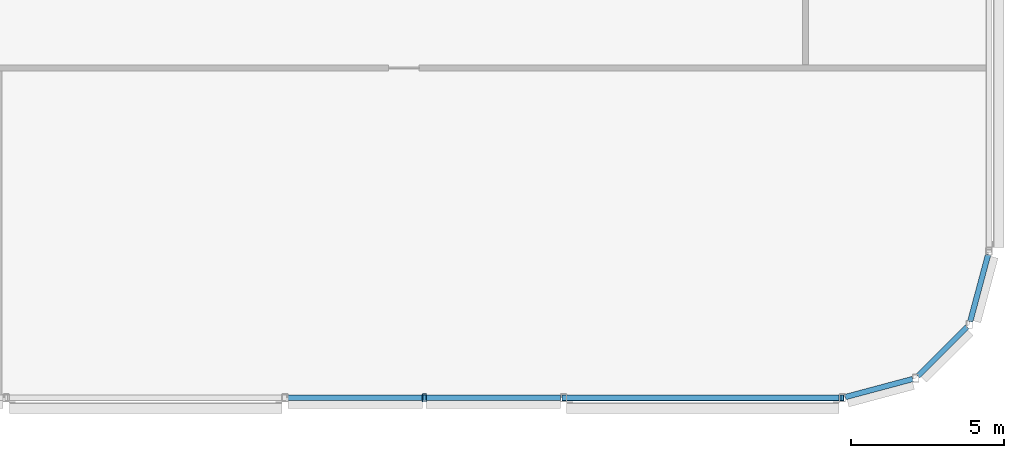
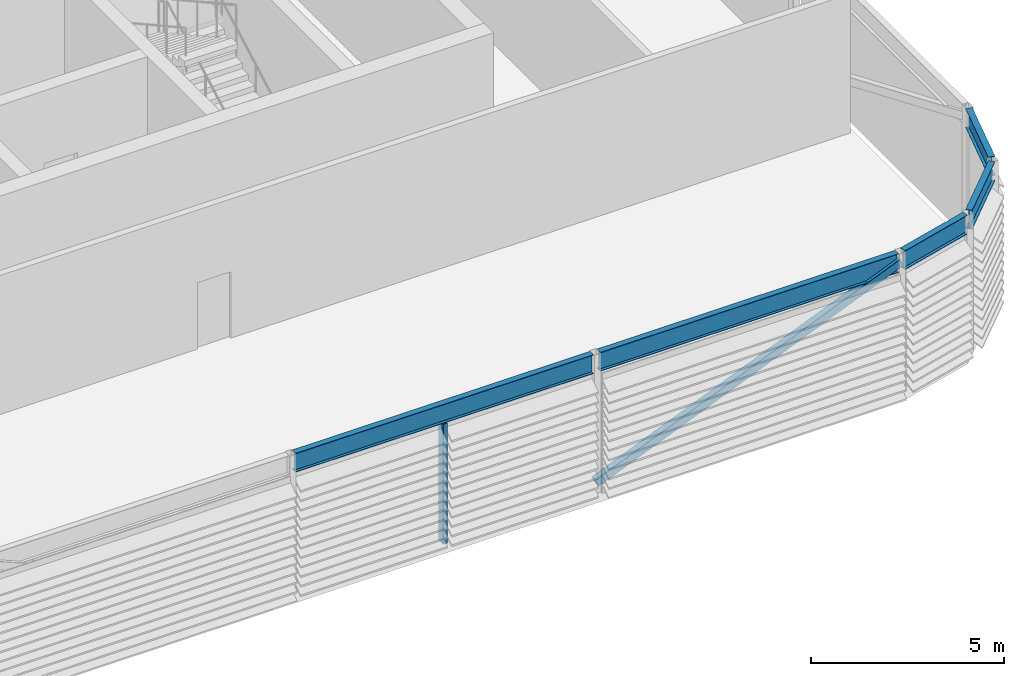
# One storey, part 8 of 27: 5 beams, 2 members.
"""IFC4 building model written with IfcOpenShell, lengths in metres."""

from ifc_helpers import new_model, si_unit, direction, frame, origin, origin_2d, place, context, subcontext, project, spatial, hollow_rectangle, i_section, extrude, material, material_profile, profile_set, type_object, element, save


model = new_model("IFC4")

# Units and contexts
model_context = context("Model", 3, precision=1e-05, world=origin(), true_north=direction((0.0, 1.0)))
body_context = subcontext(model_context, "Body", "Model", "MODEL_VIEW")
ifc_project = project(units=[si_unit("LENGTHUNIT", "METRE"), si_unit("AREAUNIT", "SQUARE_METRE"), si_unit("VOLUMEUNIT", "CUBIC_METRE"), si_unit("PLANEANGLEUNIT", "RADIAN"), si_unit("MASSUNIT", "GRAM", prefix="KILO")], contexts=[model_context])

# Site, building, storey
site_placement = place(None, origin())
site = spatial("IfcSite", under=ifc_project, at=site_placement, CompositionType="ELEMENT")
building_placement = place(site_placement, origin())
building = spatial("IfcBuilding", under=site, at=building_placement, Name="Madar Terraces", CompositionType="ELEMENT")
storey_placement = place(building_placement, frame((0.0, 0.0, 301.10009765625)))
storey = spatial("IfcBuildingStorey", under=building, at=storey_placement, Name="L78", CompositionType="ELEMENT", Elevation=301.10009765625)

# Beams
ifc_material_1 = material(Name="Steel ASTM A992 Grade 50", Category="steel")
ifc_material_profile_1 = material_profile(ifc_material_1, i_section(OverallWidth=0.1787109375, OverallDepth=0.60205078125, WebThickness=0.010986328125, FlangeThickness=0.014892578125, at=origin_2d()), Name="W24x62")
ifc_profile_set_1 = profile_set([ifc_material_profile_1], Name="Steel ASTM A992 Grade 50")
beam_type = type_object("IfcBeamType", Name="CF2 W24x62", PredefinedType="BEAM", material=ifc_profile_set_1)
for number, where, z_axis, x_axis, name in (
    (1, (33.461669921875, 1.199951171875, 4.098876953125), (1.0, 0.0, 0.0), (0.0, 1.0, 0.0), "Crown frame ring beam CF2"),
    (2, (42.58154296875, 1.199951171875, 4.098876953125), (1.0, 0.0, 0.0), (0.0, 1.0, 0.0), "Crown frame ring beam CF2"),
):
    element("IfcBeam", number, at=place(storey_placement, frame(where, z_axis=z_axis, x_axis=x_axis)), inside=storey, type_object=beam_type, Name=name, PredefinedType="BEAM", context=body_context, shape_type="SweptSolid", body=[
        extrude(i_section(OverallWidth=0.1787109375, OverallDepth=0.60205078125, WebThickness=0.010986328125, FlangeThickness=0.014892578125, at=origin_2d()), origin(), (0.0, 0.0, 1.0), 8.916748046875),
    ])
beam_1_placement = place(storey_placement, frame((51.6982421875, 1.226318359375, 4.098876953125), z_axis=(0.965912700012, 0.258868028067, 0.0), x_axis=(-0.258868028067, 0.965912700012, 0.0)))
element("IfcBeam", 3, at=beam_1_placement, inside=storey, type_object=beam_type, Name="Crown frame ring beam CF2", PredefinedType="BEAM", context=body_context, shape_type="SweptSolid", body=[
    extrude(i_section(OverallWidth=0.1787109375, OverallDepth=0.60205078125, WebThickness=0.010986328125, FlangeThickness=0.014892578125, at=origin_2d()), origin(), (0.0, 0.0, 1.0), 2.281494140625),
])
beam_2_placement = place(storey_placement, frame((54.07177734375, 1.9150390625, 4.098876953125), z_axis=(0.707160287053, 0.707053271271, 0.0), x_axis=(-0.707053271271, 0.707160287053, 0.0)))
element("IfcBeam", 4, at=beam_2_placement, inside=storey, type_object=beam_type, Name="Crown frame ring beam CF2", PredefinedType="BEAM", context=body_context, shape_type="SweptSolid", body=[
    extrude(i_section(OverallWidth=0.1787109375, OverallDepth=0.60205078125, WebThickness=0.010986328125, FlangeThickness=0.014892578125, at=origin_2d()), origin(), (0.0, 0.0, 1.0), 2.28125),
])
beam_3_placement = place(storey_placement, frame((55.783203125, 3.6982421875, 4.098876953125), z_axis=(0.258868028067, 0.965912700012, 0.0), x_axis=(-0.965912700012, 0.258868028067, 0.0)))
element("IfcBeam", 5, at=beam_3_placement, inside=storey, type_object=beam_type, Name="Crown frame ring beam CF2", PredefinedType="BEAM", context=body_context, shape_type="SweptSolid", body=[
    extrude(i_section(OverallWidth=0.1787109375, OverallDepth=0.60205078125, WebThickness=0.010986328125, FlangeThickness=0.014892578125, at=origin_2d()), origin(), (0.0, 0.0, 1.0), 2.281494140625),
])

# Members
ifc_material_2 = material(Name="Steel ASTM A500 Grade C", Category="steel")
ifc_material_profile_2 = material_profile(ifc_material_2, hollow_rectangle(XDim=0.203125, YDim=0.25390625, WallThickness=0.009521484375, InnerFilletRadius=0.00439453125, OuterFilletRadius=0.01318359375, at=origin_2d()), Name="HSS10x8x.375")
ifc_profile_set_2 = profile_set([ifc_material_profile_2], Name="Steel ASTM A500 Grade C")
member_type_1 = type_object("IfcMemberType", Name="CF5 crown frame brace HSS10x8x.375", PredefinedType="BRACE", material=ifc_profile_set_2)
member_1_placement = place(storey_placement, frame((42.47998046875, 1.199951171875, 0.2998046875), z_axis=(0.923112012079, 0.0, 0.384531160187), x_axis=(0.0, 1.0, 0.0)))
element("IfcMember", 6, at=member_1_placement, inside=storey, type_object=member_type_1, Name="Crown frame brace CF5", PredefinedType="BRACE", context=body_context, shape_type="SweptSolid", body=[
    extrude(hollow_rectangle(XDim=0.203125, YDim=0.25390625, WallThickness=0.009521484375, InnerFilletRadius=0.00439453125, OuterFilletRadius=0.01318359375, at=origin_2d()), origin(), (0.0, 0.0, 1.0), 9.879638671875),
])
ifc_material_3 = material(Name="Steel ASTM A500 Grade C", Category="steel")
ifc_material_profile_3 = material_profile(ifc_material_3, hollow_rectangle(XDim=0.126953125, YDim=0.25390625, WallThickness=0.00634765625, InnerFilletRadius=0.0029296875, OuterFilletRadius=0.0087890625, at=origin_2d()), Name="HSS10x5x.25")
ifc_profile_set_3 = profile_set([ifc_material_profile_3], Name="Steel ASTM A500 Grade C")
member_type_2 = type_object("IfcMemberType", Name="LS2 HSS10x5x.25", PredefinedType="POST", material=ifc_profile_set_3)
member_2_placement = place(storey_placement, frame((37.919921875, 1.199951171875, 0.0), z_axis=(0.0, 0.0, 1.0), x_axis=(1.0, 0.0, 0.0)))
element("IfcMember", 7, at=member_2_placement, inside=storey, type_object=member_type_2, Name="Crown louvre post LS2", PredefinedType="POST", context=body_context, shape_type="SweptSolid", body=[
    extrude(hollow_rectangle(XDim=0.126953125, YDim=0.25390625, WallThickness=0.00634765625, InnerFilletRadius=0.0029296875, OuterFilletRadius=0.0087890625, at=origin_2d()), origin(), (0.0, 0.0, 1.0), 3.7978515625),
])

save(model, "model.ifc")
